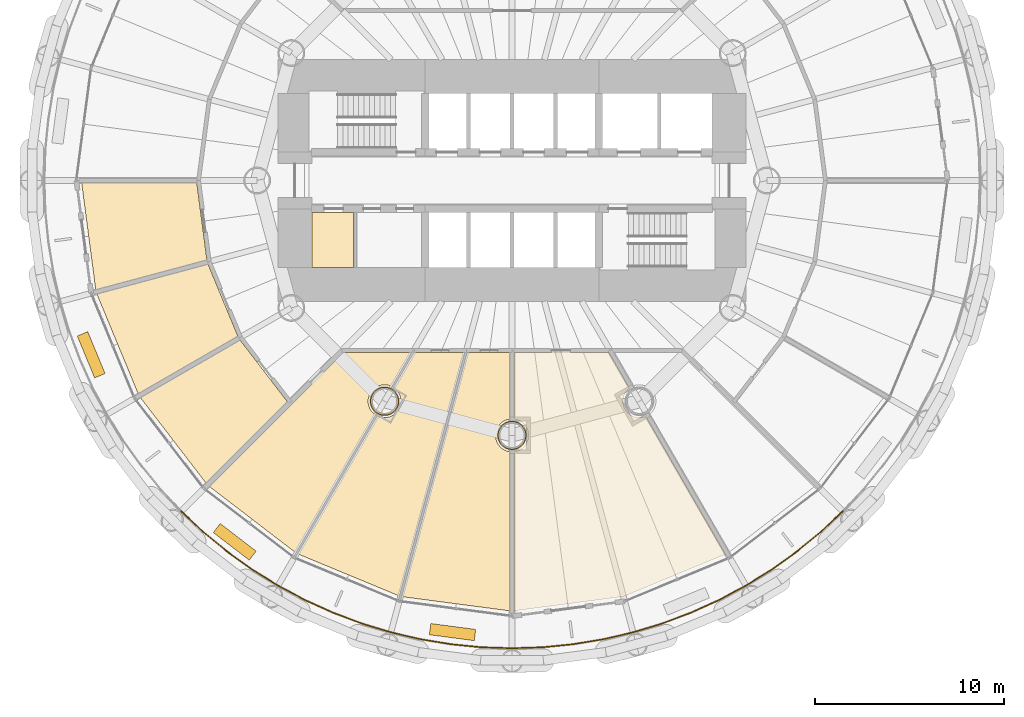
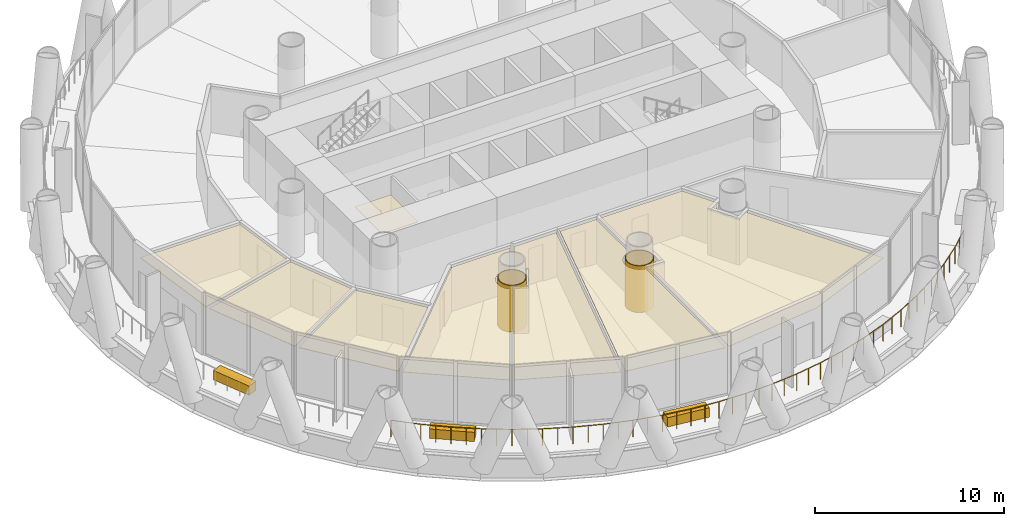
# One storey, part 13 of 16: 13 coverings, 1 railing.
"""IFC4 building model written with IfcOpenShell, lengths in metres."""

import ifcopenshell
import ifcopenshell.guid

model = None  # the IFC model being written
_history = None  # IfcOwnerHistory: only IFC2X3 demands one
_inside = {}  # id of a spatial element -> (the spatial element, [elements in it])
_under = {}  # id of a project, library or spatial element -> (it, [spatial elements below it])
_declared = {}  # id of a project -> (the project, [libraries it declares])
_typed = {}  # id of a type object -> (the type object, [elements of that type])
_made_of = {}  # id of a material, layer set ... -> (it, [elements and type objects made of it])


def new_model(schema):
    """Start an empty IFC model of exactly this schema.

    Asked for "IFC4X3", IfcOpenShell would pick the latest addendum, in which some entities
    have other attributes; the version numbers below select the first issue.
    IFC2X3 requires an IfcOwnerHistory on every rooted entity: one is made here for all.
    """
    global model, _history
    if schema == "IFC4X3":
        model = ifcopenshell.file(schema_version=(4, 3, 0, 0))
    else:
        model = ifcopenshell.file(schema=schema)
    _inside.clear()
    _under.clear()
    _declared.clear()
    _typed.clear()
    _made_of.clear()
    _history = None
    if model.schema == "IFC2X3":
        org = make("IfcOrganization", Name="unknown")
        user = make(
            "IfcPersonAndOrganization",
            ThePerson=make("IfcPerson", FamilyName="unknown"),
            TheOrganization=org,
        )
        app = make(
            "IfcApplication",
            ApplicationDeveloper=org,
            Version="unknown",
            ApplicationFullName="unknown",
            ApplicationIdentifier="unknown",
        )
        _history = make(
            "IfcOwnerHistory",
            OwningUser=user,
            OwningApplication=app,
            ChangeAction="ADDED",
            CreationDate=0,
        )
    return model


def make(cls, **values):
    """One entity of the class cls with the attributes given. An attribute that is None is left unset."""
    return model.create_entity(
        cls, **{name: value for name, value in values.items() if value is not None}
    )


def rooted(cls, **values):
    """An entity with a GlobalId (a new one), such as an element, a storey or a relation."""
    return make(cls, GlobalId=ifcopenshell.guid.new(), OwnerHistory=_history, **values)


def si_unit(unit_type, name, prefix=None):
    """IfcSIUnit, for example si_unit("LENGTHUNIT", "METRE", prefix="MILLI")."""
    return make("IfcSIUnit", UnitType=unit_type, Prefix=prefix, Name=name)


def assignment(units):
    """IfcUnitAssignment: the units of a project."""
    return None if units is None else make("IfcUnitAssignment", Units=units)


def point(xyz):
    """IfcCartesianPoint."""
    return None if xyz is None else make("IfcCartesianPoint", Coordinates=xyz)


def direction(xyz):
    """IfcDirection."""
    return None if xyz is None else make("IfcDirection", DirectionRatios=xyz)


def frame(location, z_axis=None, x_axis=None):
    """IfcAxis2Placement3D, a coordinate frame: its origin and axes. An axis left out is left unset."""
    return make(
        "IfcAxis2Placement3D",
        Location=point(location),
        Axis=direction(z_axis),
        RefDirection=direction(x_axis),
    )


def frame_2d(location, x_axis=None):
    """IfcAxis2Placement2D, a coordinate frame in the plane: its origin and x axis."""
    return make(
        "IfcAxis2Placement2D", Location=point(location), RefDirection=direction(x_axis)
    )


def origin():
    """The frame at (0, 0, 0) with its axes left unset."""
    return frame((0.0, 0.0, 0.0))


def origin_2d():
    """The frame at (0, 0) in the plane with its x axis left unset."""
    return frame_2d((0.0, 0.0))


def place(relative_to, where):
    """IfcLocalPlacement: puts the frame where relative to a parent placement (None: the world)."""
    return make(
        "IfcLocalPlacement", PlacementRelTo=relative_to, RelativePlacement=where
    )


def context(
    kind, dimensions, precision=None, world=None, true_north=None, identifier=None
):
    """IfcGeometricRepresentationContext, for example the 3D "Model" context."""
    return make(
        "IfcGeometricRepresentationContext",
        ContextIdentifier=identifier,
        ContextType=kind,
        CoordinateSpaceDimension=dimensions,
        Precision=precision,
        WorldCoordinateSystem=world,
        TrueNorth=true_north,
    )


def subcontext(parent, identifier, kind, view, scale=None):
    """IfcGeometricRepresentationSubContext, for example "Body" below "Model"."""
    return make(
        "IfcGeometricRepresentationSubContext",
        ContextIdentifier=identifier,
        ContextType=kind,
        ParentContext=parent,
        TargetScale=scale,
        TargetView=view,
    )


def project(units=None, contexts=None):
    """IfcProject with its units and contexts."""
    return rooted(
        "IfcProject",
        Name="project",
        RepresentationContexts=contexts,
        UnitsInContext=assignment(units),
    )


def spatial(cls, under=None, at=None, **own):
    """A site, building, storey or space (cls), placed at a placement, below another one or the project."""
    s = rooted(cls, ObjectPlacement=at, **own)
    if under is not None:
        _under.setdefault(under.id(), (under, []))[1].append(s)
    return s


def polyline(points):
    """IfcPolyline through the points."""
    return make("IfcPolyline", Points=[point(p) for p in points])


def profile(cls, at=None, kind="AREA", **sizes):
    """A parametric profile (cls). Its sizes go by their IFC names, for example OverallWidth=200.0."""
    return make(cls, ProfileType=kind, Position=at, **sizes)


def rectangle(**sizes):
    """IfcRectangleProfileDef."""
    return profile("IfcRectangleProfileDef", **sizes)


def circle(**sizes):
    """IfcCircleProfileDef."""
    return profile("IfcCircleProfileDef", **sizes)


def outline(outer, holes=None, kind="AREA"):
    """IfcArbitraryClosedProfileDef: a profile drawn as a closed curve; with holes, ...WithVoids."""
    if holes is None:
        return make("IfcArbitraryClosedProfileDef", ProfileType=kind, OuterCurve=outer)
    return make(
        "IfcArbitraryProfileDefWithVoids",
        ProfileType=kind,
        OuterCurve=outer,
        InnerCurves=holes,
    )


def extrude(swept, where, along, depth):
    """IfcExtrudedAreaSolid: the profile swept, set in the frame where, extruded along a direction by depth."""
    return make(
        "IfcExtrudedAreaSolid",
        SweptArea=swept,
        Position=where,
        ExtrudedDirection=direction(along),
        Depth=depth,
    )


def shape(context_of_items, identifier, shape_type, items):
    """IfcShapeRepresentation: the items that make up one representation, for example the "Body"."""
    return make(
        "IfcShapeRepresentation",
        ContextOfItems=context_of_items,
        RepresentationIdentifier=identifier,
        RepresentationType=shape_type,
        Items=items,
    )


def material(Name=None, Category=None):
    """IfcMaterial."""
    return make("IfcMaterial", Name=Name, Category=Category)


def layer(
    of_material, thickness, ventilated=None, Name=None, Category=None, Priority=None
):
    """IfcMaterialLayer: one layer of a wall or slab, of a material (None: an air gap)."""
    return make(
        "IfcMaterialLayer",
        Material=of_material,
        LayerThickness=thickness,
        IsVentilated=ventilated,
        Name=Name,
        Category=Category,
        Priority=Priority,
    )


def layer_set(layers, Name=None):
    """IfcMaterialLayerSet."""
    return make("IfcMaterialLayerSet", MaterialLayers=layers, LayerSetName=Name)


def made_of(thing, what):
    """Note that an element or type object is made of a material, layer set ...; save() writes the relation."""
    if what is not None:
        _made_of.setdefault(what.id(), (what, []))[1].append(thing)
    return thing


def type_object(cls, material=None, **own):
    """A type object (cls), such as IfcWallType, which elements share."""
    return made_of(rooted(cls, **own), material)


def element(
    cls,
    number,
    at=None,
    inside=None,
    cuts=None,
    type_object=None,
    material=None,
    context=None,
    identifier="Body",
    shape_type=None,
    held_by="IfcProductDefinitionShape",
    body=None,
    shapes=None,
    **own,
):
    """One element of the class cls, such as IfcWall. Its Tag is "e" and its number.

    at: its placement. inside: the storey or other place that contains it. cuts: it is an
    opening in that element (IfcRelVoidsElement). A single representation is given by context,
    identifier, shape_type and body (its items); several are given by shapes. held_by: the class
    of the entity that holds the representations. save() writes the other relations.
    """
    e = rooted(cls, Tag="e%d" % number, ObjectPlacement=at, **own)
    if body is not None:
        shapes = [shape(context, identifier, shape_type, body)]
    if shapes is not None:
        e.Representation = make(held_by, Representations=shapes)
    if inside is not None:
        _inside.setdefault(inside.id(), (inside, []))[1].append(e)
    if cuts is not None:
        rooted(
            "IfcRelVoidsElement", RelatingBuildingElement=cuts, RelatedOpeningElement=e
        )
    if type_object is not None:
        _typed.setdefault(type_object.id(), (type_object, []))[1].append(e)
    return made_of(e, material)


def aggregate(whole, parts):
    """IfcRelAggregates: a whole, such as a stair, and the parts it consists of."""
    return rooted("IfcRelAggregates", RelatingObject=whole, RelatedObjects=parts)


def save(model, path):
    """Write the relations noted so far, then the file.

    IfcRelAggregates (storeys below a building ...), IfcRelContainedInSpatialStructure (elements
    in a storey), IfcRelDefinesByType, IfcRelAssociatesMaterial and IfcRelDeclares: one each for
    every whole, place, type object, material and project.
    """
    for whole, parts in _under.values():
        aggregate(whole, parts)
    for where, things in _inside.values():
        rooted(
            "IfcRelContainedInSpatialStructure",
            RelatedElements=things,
            RelatingStructure=where,
        )
    for kind, things in _typed.values():
        rooted("IfcRelDefinesByType", RelatedObjects=things, RelatingType=kind)
    for what, things in _made_of.values():
        rooted("IfcRelAssociatesMaterial", RelatedObjects=things, RelatingMaterial=what)
    for by, libraries in _declared.values():
        rooted("IfcRelDeclares", RelatingContext=by, RelatedDefinitions=libraries)
    model.write(path)


model = new_model("IFC4")

# Units and contexts
model_context = context("Model", 3, precision=1e-05, world=origin(), true_north=direction((0.0, 1.0)))
body_context = subcontext(model_context, "Body", "Model", "MODEL_VIEW")
ifc_project = project(units=[si_unit("LENGTHUNIT", "METRE"), si_unit("AREAUNIT", "SQUARE_METRE"), si_unit("VOLUMEUNIT", "CUBIC_METRE"), si_unit("PLANEANGLEUNIT", "RADIAN"), si_unit("MASSUNIT", "GRAM", prefix="KILO")], contexts=[model_context])

# Site, building, storey
site_placement = place(None, origin())
site = spatial("IfcSite", under=ifc_project, at=site_placement, CompositionType="ELEMENT")
building_placement = place(site_placement, origin())
building = spatial("IfcBuilding", under=site, at=building_placement, Name="Qaws Media Tower", CompositionType="ELEMENT")
storey_placement = place(building_placement, frame((0.0, 0.0, 89.0)))
storey = spatial("IfcBuildingStorey", under=building, at=storey_placement, Name="L19", CompositionType="ELEMENT", Elevation=89.0)

# Coverings
ifc_material_1 = material(Name="40 perforated acoustic panels with mineral wool backing, suspended", Category="mineral fibre")
ifc_layer_1 = layer(ifc_material_1, 0.0400390625)
ifc_layer_set_1 = layer_set([ifc_layer_1], Name="Acoustic panel ceiling 40")
covering_type_1 = type_object("IfcCoveringType", Name="Acoustic panel ceiling 40", PredefinedType="CEILING", material=ifc_layer_set_1)
covering_1_placement = place(storey_placement, frame((0.0, 0.0, 2.85009765625)))
element("IfcCovering", 1, at=covering_1_placement, inside=storey, type_object=covering_type_1, Name="CL3 ceiling L19-03 Translation booth", PredefinedType="CEILING", context=body_context, shape_type="SweptSolid", body=[
    extrude(outline(polyline([(37.20458984375, 49.887451171875), (43.30126953125, 49.887451171875), (43.84130859375, 45.78662109375), (37.9521484375, 44.208740234375), (37.20458984375, 49.887451171875)])), origin(), (0.0, 0.0, 1.0), 0.039794921875),
])
covering_2_placement = place(storey_placement, frame((0.0, 0.0, 2.85009765625)))
element("IfcCovering", 2, at=covering_2_placement, inside=storey, type_object=covering_type_1, Name="CL3 ceiling L19-04 Translation booth", PredefinedType="CEILING", context=body_context, shape_type="SweptSolid", body=[
    extrude(outline(polyline([(38.010498046875, 43.991455078125), (43.8994140625, 45.5693359375), (45.482421875, 41.748046875), (40.202392578125, 38.69970703125), (38.010498046875, 43.991455078125)])), origin(), (0.0, 0.0, 1.0), 0.039794921875),
])
covering_3_placement = place(storey_placement, frame((0.0, 0.0, 2.85009765625)))
element("IfcCovering", 3, at=covering_3_placement, inside=storey, type_object=covering_type_1, Name="CL3 ceiling L19-05 Translation booth", PredefinedType="CEILING", context=body_context, shape_type="SweptSolid", body=[
    extrude(outline(polyline([(40.314697265625, 38.5048828125), (45.5947265625, 41.55322265625), (48.11279296875, 38.271728515625), (43.8017578125, 33.960693359375), (40.314697265625, 38.5048828125)])), origin(), (0.0, 0.0, 1.0), 0.039794921875),
])

# Railing
ifc_material_2 = material(Name="Stainless steel and glass guard", Category="steel")
railing_type = type_object("IfcRailingType", Name="Balcony guard 1100", PredefinedType="GUARDRAIL", material=ifc_material_2)
railing_placement = place(storey_placement, frame((42.4814453125, 32.4814453125, 0.0)))
element("IfcRailing", 4, at=railing_placement, inside=storey, type_object=railing_type, Name="GR1 balcony guard L19-3", PredefinedType="GUARDRAIL", context=body_context, shape_type="SweptSolid", body=[
    extrude(circle(Radius=0.02392578125, at=origin_2d()), frame((0.0, 0.0, 1.076171875), z_axis=(0.729917483807, -0.683535271096, 0.0), x_axis=(0.683535271096, 0.729917483807, 0.0)), (0.0, 0.0, 1.0), 1.62109375),
    extrude(circle(Radius=0.02392578125, at=origin_2d()), frame((1.183349609375, -1.108154296875, 1.076171875), z_axis=(0.772976794786, -0.634434295039, 0.0), x_axis=(0.634434295039, 0.772976794786, 0.0)), (0.0, 0.0, 1.0), 1.621337890625),
    extrude(circle(Radius=0.02392578125, at=origin_2d()), frame((2.4365234375, -2.13671875, 1.076171875), z_axis=(0.81285752848, -0.582462563942, 0.0), x_axis=(0.582462563942, 0.81285752848, 0.0)), (0.0, 0.0, 1.0), 1.621337890625),
    extrude(circle(Radius=0.02392578125, at=origin_2d()), frame((3.75439453125, -3.0810546875, 1.076171875), z_axis=(0.849172165578, -0.528116117163, 0.0), x_axis=(0.528116117163, 0.849172165578, 0.0)), (0.0, 0.0, 1.0), 1.621337890625),
    extrude(circle(Radius=0.02392578125, at=origin_2d()), frame((5.131103515625, -3.937255859375, 1.076171875), z_axis=(0.881927350788, -0.471385349721, 0.0), x_axis=(0.471385349721, 0.881927350788, 0.0)), (0.0, 0.0, 1.0), 1.62109375),
    extrude(circle(Radius=0.02392578125, at=origin_2d()), frame((6.560791015625, -4.701416015625, 1.076171875), z_axis=(0.910850592512, -0.412736233109, 0.0), x_axis=(0.412736233109, 0.910850592512, 0.0)), (0.0, 0.0, 1.0), 1.621337890625),
    extrude(circle(Radius=0.02392578125, at=origin_2d()), frame((8.03759765625, -5.37060546875, 1.076171875), z_axis=(0.93591388781, -0.352228895187, 0.0), x_axis=(0.352228895187, 0.93591388781, 0.0)), (0.0, 0.0, 1.0), 1.621337890625),
    extrude(circle(Radius=0.02392578125, at=origin_2d()), frame((9.554931640625, -5.941650390625, 1.076171875), z_axis=(0.956917944121, -0.290358482258, 0.0), x_axis=(0.290358482258, 0.956917944121, 0.0)), (0.0, 0.0, 1.0), 1.62109375),
    extrude(circle(Radius=0.02392578125, at=origin_2d()), frame((11.106201171875, -6.412353515625, 1.076171875), z_axis=(0.973881177198, -0.227058258382, 0.0), x_axis=(0.227058258382, 0.973881177198, 0.0)), (0.0, 0.0, 1.0), 1.621337890625),
    extrude(circle(Radius=0.02392578125, at=origin_2d()), frame((12.685302734375, -6.780517578125, 1.076171875), z_axis=(0.986657234444, -0.162811245678, 0.0), x_axis=(0.162811245678, 0.986657234444, 0.0)), (0.0, 0.0, 1.0), 1.62109375),
    extrude(circle(Radius=0.02392578125, at=origin_2d()), frame((14.28466796875, -7.04443359375, 1.076171875), z_axis=(0.995183693802, -0.09802762667, 0.0), x_axis=(0.09802762667, 0.995183693802, 0.0)), (0.0, 0.0, 1.0), 1.621337890625),
    extrude(circle(Radius=0.02392578125, at=origin_2d()), frame((15.898193359375, -7.203369140625, 1.076171875), z_axis=(0.999465930455, -0.032678033284, 0.0), x_axis=(0.032678033284, 0.999465930455, 0.0)), (0.0, 0.0, 1.0), 1.621337890625),
    extrude(circle(Radius=0.02392578125, at=origin_2d()), frame((17.5185546875, -7.25634765625, 1.076171875), z_axis=(0.999465930455, 0.032678033284, 0.0), x_axis=(-0.032678033284, 0.999465930455, 0.0)), (0.0, 0.0, 1.0), 1.621337890625),
    extrude(circle(Radius=0.02392578125, at=origin_2d()), frame((19.138916015625, -7.203369140625, 1.076171875), z_axis=(0.995183693802, 0.09802762667, 0.0), x_axis=(-0.09802762667, 0.995183693802, 0.0)), (0.0, 0.0, 1.0), 1.621337890625),
    extrude(circle(Radius=0.02392578125, at=origin_2d()), frame((20.75244140625, -7.04443359375, 1.076171875), z_axis=(0.986657234444, 0.162811245678, 0.0), x_axis=(-0.162811245678, 0.986657234444, 0.0)), (0.0, 0.0, 1.0), 1.62109375),
    extrude(circle(Radius=0.02392578125, at=origin_2d()), frame((22.351806640625, -6.780517578125, 1.076171875), z_axis=(0.973881177198, 0.227058258382, 0.0), x_axis=(-0.227058258382, 0.973881177198, 0.0)), (0.0, 0.0, 1.0), 1.621337890625),
    extrude(circle(Radius=0.02392578125, at=origin_2d()), frame((23.930908203125, -6.412353515625, 1.076171875), z_axis=(0.956917944121, 0.290358482258, 0.0), x_axis=(-0.290358482258, 0.956917944121, 0.0)), (0.0, 0.0, 1.0), 1.62109375),
    extrude(circle(Radius=0.02392578125, at=origin_2d()), frame((25.482177734375, -5.941650390625, 1.076171875), z_axis=(0.93591388781, 0.352228895187, 0.0), x_axis=(-0.352228895187, 0.93591388781, 0.0)), (0.0, 0.0, 1.0), 1.621337890625),
    extrude(circle(Radius=0.02392578125, at=origin_2d()), frame((26.99951171875, -5.37060546875, 1.076171875), z_axis=(0.910850592512, 0.412736233109, 0.0), x_axis=(-0.412736233109, 0.910850592512, 0.0)), (0.0, 0.0, 1.0), 1.621337890625),
    extrude(circle(Radius=0.02392578125, at=origin_2d()), frame((28.476318359375, -4.701416015625, 1.076171875), z_axis=(0.881927350788, 0.471385349721, 0.0), x_axis=(-0.471385349721, 0.881927350788, 0.0)), (0.0, 0.0, 1.0), 1.62109375),
    extrude(circle(Radius=0.02392578125, at=origin_2d()), frame((29.906005859375, -3.937255859375, 1.076171875), z_axis=(0.849172165578, 0.528116117163, 0.0), x_axis=(-0.528116117163, 0.849172165578, 0.0)), (0.0, 0.0, 1.0), 1.621337890625),
    extrude(circle(Radius=0.02392578125, at=origin_2d()), frame((31.28271484375, -3.0810546875, 1.076171875), z_axis=(0.81285752848, 0.582462563942, 0.0), x_axis=(-0.582462563942, 0.81285752848, 0.0)), (0.0, 0.0, 1.0), 1.621337890625),
    extrude(circle(Radius=0.02392578125, at=origin_2d()), frame((32.6005859375, -2.13671875, 1.076171875), z_axis=(0.772976794786, 0.634434295039, 0.0), x_axis=(-0.634434295039, 0.772976794786, 0.0)), (0.0, 0.0, 1.0), 1.621337890625),
    extrude(circle(Radius=0.02392578125, at=origin_2d()), frame((33.853759765625, -1.108154296875, 1.076171875), z_axis=(0.729917483807, 0.683535271096, 0.0), x_axis=(-0.683535271096, 0.729917483807, 0.0)), (0.0, 0.0, 1.0), 1.62109375),
    extrude(circle(Radius=0.02099609375, at=origin_2d()), origin(), (0.0, 0.0, 1.0), 1.052001953125),
    extrude(circle(Radius=0.02099609375, at=origin_2d()), frame((0.591796875, -0.55419921875, 0.0)), (0.0, 0.0, 1.0), 1.052001953125),
    extrude(circle(Radius=0.02099609375, at=origin_2d()), frame((1.183349609375, -1.108154296875, 0.0)), (0.0, 0.0, 1.0), 1.052001953125),
    extrude(circle(Radius=0.02099609375, at=origin_2d()), frame((1.81005859375, -1.62255859375, 0.0)), (0.0, 0.0, 1.0), 1.052001953125),
    extrude(circle(Radius=0.02099609375, at=origin_2d()), frame((2.4365234375, -2.13671875, 0.0)), (0.0, 0.0, 1.0), 1.052001953125),
    extrude(circle(Radius=0.02099609375, at=origin_2d()), frame((3.095458984375, -2.60888671875, 0.0)), (0.0, 0.0, 1.0), 1.052001953125),
    extrude(circle(Radius=0.02099609375, at=origin_2d()), frame((3.75439453125, -3.0810546875, 0.0)), (0.0, 0.0, 1.0), 1.052001953125),
    extrude(circle(Radius=0.02099609375, at=origin_2d()), frame((4.44287109375, -3.50927734375, 0.0)), (0.0, 0.0, 1.0), 1.052001953125),
    extrude(circle(Radius=0.02099609375, at=origin_2d()), frame((5.131103515625, -3.937255859375, 0.0)), (0.0, 0.0, 1.0), 1.052001953125),
    extrude(circle(Radius=0.02099609375, at=origin_2d()), frame((5.845947265625, -4.3193359375, 0.0)), (0.0, 0.0, 1.0), 1.052001953125),
    extrude(circle(Radius=0.02099609375, at=origin_2d()), frame((6.560791015625, -4.701416015625, 0.0)), (0.0, 0.0, 1.0), 1.052001953125),
    extrude(circle(Radius=0.02099609375, at=origin_2d()), frame((7.29931640625, -5.0361328125, 0.0)), (0.0, 0.0, 1.0), 1.052001953125),
    extrude(circle(Radius=0.02099609375, at=origin_2d()), frame((8.03759765625, -5.37060546875, 0.0)), (0.0, 0.0, 1.0), 1.052001953125),
    extrude(circle(Radius=0.02099609375, at=origin_2d()), frame((8.79638671875, -5.65625, 0.0)), (0.0, 0.0, 1.0), 1.052001953125),
    extrude(circle(Radius=0.02099609375, at=origin_2d()), frame((9.554931640625, -5.941650390625, 0.0)), (0.0, 0.0, 1.0), 1.052001953125),
    extrude(circle(Radius=0.02099609375, at=origin_2d()), frame((10.33056640625, -6.177001953125, 0.0)), (0.0, 0.0, 1.0), 1.052001953125),
    extrude(circle(Radius=0.02099609375, at=origin_2d()), frame((11.106201171875, -6.412353515625, 0.0)), (0.0, 0.0, 1.0), 1.052001953125),
    extrude(circle(Radius=0.02099609375, at=origin_2d()), frame((11.895751953125, -6.596435546875, 0.0)), (0.0, 0.0, 1.0), 1.052001953125),
    extrude(circle(Radius=0.02099609375, at=origin_2d()), frame((12.685302734375, -6.780517578125, 0.0)), (0.0, 0.0, 1.0), 1.052001953125),
    extrude(circle(Radius=0.02099609375, at=origin_2d()), frame((13.48486328125, -6.91259765625, 0.0)), (0.0, 0.0, 1.0), 1.052001953125),
    extrude(circle(Radius=0.02099609375, at=origin_2d()), frame((14.28466796875, -7.04443359375, 0.0)), (0.0, 0.0, 1.0), 1.052001953125),
    extrude(circle(Radius=0.02099609375, at=origin_2d()), frame((15.09130859375, -7.1240234375, 0.0)), (0.0, 0.0, 1.0), 1.052001953125),
    extrude(circle(Radius=0.02099609375, at=origin_2d()), frame((15.898193359375, -7.203369140625, 0.0)), (0.0, 0.0, 1.0), 1.052001953125),
    extrude(circle(Radius=0.02099609375, at=origin_2d()), frame((16.70849609375, -7.22998046875, 0.0)), (0.0, 0.0, 1.0), 1.052001953125),
    extrude(circle(Radius=0.02099609375, at=origin_2d()), frame((17.5185546875, -7.25634765625, 0.0)), (0.0, 0.0, 1.0), 1.052001953125),
    extrude(circle(Radius=0.02099609375, at=origin_2d()), frame((18.32861328125, -7.22998046875, 0.0)), (0.0, 0.0, 1.0), 1.052001953125),
    extrude(circle(Radius=0.02099609375, at=origin_2d()), frame((19.138916015625, -7.203369140625, 0.0)), (0.0, 0.0, 1.0), 1.052001953125),
    extrude(circle(Radius=0.02099609375, at=origin_2d()), frame((19.94580078125, -7.1240234375, 0.0)), (0.0, 0.0, 1.0), 1.052001953125),
    extrude(circle(Radius=0.02099609375, at=origin_2d()), frame((20.75244140625, -7.04443359375, 0.0)), (0.0, 0.0, 1.0), 1.052001953125),
    extrude(circle(Radius=0.02099609375, at=origin_2d()), frame((21.55224609375, -6.91259765625, 0.0)), (0.0, 0.0, 1.0), 1.052001953125),
    extrude(circle(Radius=0.02099609375, at=origin_2d()), frame((22.351806640625, -6.780517578125, 0.0)), (0.0, 0.0, 1.0), 1.052001953125),
    extrude(circle(Radius=0.02099609375, at=origin_2d()), frame((23.141357421875, -6.596435546875, 0.0)), (0.0, 0.0, 1.0), 1.052001953125),
    extrude(circle(Radius=0.02099609375, at=origin_2d()), frame((23.930908203125, -6.412353515625, 0.0)), (0.0, 0.0, 1.0), 1.052001953125),
    extrude(circle(Radius=0.02099609375, at=origin_2d()), frame((24.70654296875, -6.177001953125, 0.0)), (0.0, 0.0, 1.0), 1.052001953125),
    extrude(circle(Radius=0.02099609375, at=origin_2d()), frame((25.482177734375, -5.941650390625, 0.0)), (0.0, 0.0, 1.0), 1.052001953125),
    extrude(circle(Radius=0.02099609375, at=origin_2d()), frame((26.24072265625, -5.65625, 0.0)), (0.0, 0.0, 1.0), 1.052001953125),
    extrude(circle(Radius=0.02099609375, at=origin_2d()), frame((26.99951171875, -5.37060546875, 0.0)), (0.0, 0.0, 1.0), 1.052001953125),
    extrude(circle(Radius=0.02099609375, at=origin_2d()), frame((27.73779296875, -5.0361328125, 0.0)), (0.0, 0.0, 1.0), 1.052001953125),
    extrude(circle(Radius=0.02099609375, at=origin_2d()), frame((28.476318359375, -4.701416015625, 0.0)), (0.0, 0.0, 1.0), 1.052001953125),
    extrude(circle(Radius=0.02099609375, at=origin_2d()), frame((29.191162109375, -4.3193359375, 0.0)), (0.0, 0.0, 1.0), 1.052001953125),
    extrude(circle(Radius=0.02099609375, at=origin_2d()), frame((29.906005859375, -3.937255859375, 0.0)), (0.0, 0.0, 1.0), 1.052001953125),
    extrude(circle(Radius=0.02099609375, at=origin_2d()), frame((30.59423828125, -3.50927734375, 0.0)), (0.0, 0.0, 1.0), 1.052001953125),
    extrude(circle(Radius=0.02099609375, at=origin_2d()), frame((31.28271484375, -3.0810546875, 0.0)), (0.0, 0.0, 1.0), 1.052001953125),
    extrude(circle(Radius=0.02099609375, at=origin_2d()), frame((31.941650390625, -2.60888671875, 0.0)), (0.0, 0.0, 1.0), 1.052001953125),
    extrude(circle(Radius=0.02099609375, at=origin_2d()), frame((32.6005859375, -2.13671875, 0.0)), (0.0, 0.0, 1.0), 1.052001953125),
    extrude(circle(Radius=0.02099609375, at=origin_2d()), frame((33.22705078125, -1.62255859375, 0.0)), (0.0, 0.0, 1.0), 1.052001953125),
    extrude(circle(Radius=0.02099609375, at=origin_2d()), frame((33.853759765625, -1.108154296875, 0.0)), (0.0, 0.0, 1.0), 1.052001953125),
    extrude(circle(Radius=0.02099609375, at=origin_2d()), frame((34.4453125, -0.55419921875, 0.0)), (0.0, 0.0, 1.0), 1.052001953125),
    extrude(circle(Radius=0.02099609375, at=origin_2d()), frame((35.037109375, 0.0, 0.0)), (0.0, 0.0, 1.0), 1.052001953125),
])

# Coverings
ifc_material_3 = material(Name="Two layers 15 fire-rated gypsum board on steel framing", Category="steel")
ifc_layer_2 = layer(ifc_material_3, 0.050048828125)
ifc_layer_set_2 = layer_set([ifc_layer_2], Name="Column fire casing")
covering_type_2 = type_object("IfcCoveringType", Name="Column fire casing", PredefinedType="CLADDING", material=ifc_layer_set_2)
covering_4_placement = place(storey_placement, origin())
element("IfcCovering", 5, at=covering_4_placement, inside=storey, type_object=covering_type_2, Name="CC1 column casing L19", PredefinedType="CLADDING", context=body_context, shape_type="SweptSolid", body=[
    extrude(outline(polyline([(54.01611328125, 38.30859375), (54.009521484375, 38.208740234375), (53.989990234375, 38.1103515625), (53.957763671875, 38.015380859375), (53.913330078125, 37.92578125), (53.857666015625, 37.84228515625), (53.79150390625, 37.76708984375), (53.71630859375, 37.700927734375), (53.633056640625, 37.645263671875), (53.543212890625, 37.60107421875), (53.4482421875, 37.56884765625), (53.35009765625, 37.54931640625), (53.25, 37.542724609375), (53.14990234375, 37.54931640625), (53.0517578125, 37.56884765625), (52.956787109375, 37.60107421875), (52.866943359375, 37.645263671875), (52.78369140625, 37.700927734375), (52.70849609375, 37.76708984375), (52.642333984375, 37.84228515625), (52.586669921875, 37.92578125), (52.542236328125, 38.015380859375), (52.510009765625, 38.1103515625), (52.490478515625, 38.208740234375), (52.48388671875, 38.30859375), (52.490478515625, 38.40869140625), (52.510009765625, 38.5068359375), (52.542236328125, 38.601806640625), (52.586669921875, 38.691650390625), (52.642333984375, 38.77490234375), (52.70849609375, 38.850341796875), (52.78369140625, 38.91650390625), (52.866943359375, 38.971923828125), (52.956787109375, 39.016357421875), (53.0517578125, 39.048583984375), (53.14990234375, 39.068115234375), (53.25, 39.07470703125), (53.35009765625, 39.068115234375), (53.4482421875, 39.048583984375), (53.543212890625, 39.016357421875), (53.633056640625, 38.971923828125), (53.71630859375, 38.91650390625), (53.79150390625, 38.850341796875), (53.857666015625, 38.77490234375), (53.913330078125, 38.691650390625), (53.957763671875, 38.601806640625), (53.989990234375, 38.5068359375), (54.009521484375, 38.40869140625), (54.01611328125, 38.30859375)]), holes=[polyline([(53.964111328125, 38.30859375), (53.9580078125, 38.215576171875), (53.939697265625, 38.123779296875), (53.90966796875, 38.035400390625), (53.868408203125, 37.95166015625), (53.81640625, 37.8740234375), (53.7548828125, 37.8037109375), (53.684814453125, 37.7421875), (53.60693359375, 37.690185546875), (53.523193359375, 37.64892578125), (53.434814453125, 37.618896484375), (53.34326171875, 37.600830078125), (53.25, 37.5947265625), (53.15673828125, 37.600830078125), (53.065185546875, 37.618896484375), (52.976806640625, 37.64892578125), (52.89306640625, 37.690185546875), (52.815185546875, 37.7421875), (52.7451171875, 37.8037109375), (52.68359375, 37.8740234375), (52.631591796875, 37.95166015625), (52.59033203125, 38.035400390625), (52.560302734375, 38.123779296875), (52.5419921875, 38.215576171875), (52.535888671875, 38.30859375), (52.5419921875, 38.40185546875), (52.560302734375, 38.493408203125), (52.59033203125, 38.581787109375), (52.631591796875, 38.665771484375), (52.68359375, 38.743408203125), (52.7451171875, 38.8134765625), (52.815185546875, 38.875), (52.89306640625, 38.927001953125), (52.976806640625, 38.96826171875), (53.065185546875, 38.998291015625), (53.15673828125, 39.0166015625), (53.25, 39.022705078125), (53.34326171875, 39.0166015625), (53.434814453125, 38.998291015625), (53.523193359375, 38.96826171875), (53.60693359375, 38.927001953125), (53.684814453125, 38.875), (53.7548828125, 38.8134765625), (53.81640625, 38.743408203125), (53.868408203125, 38.665771484375), (53.90966796875, 38.581787109375), (53.939697265625, 38.493408203125), (53.9580078125, 38.40185546875), (53.964111328125, 38.30859375)])]), origin(), (0.0, 0.0, 1.0), 3.02001953125),
])
covering_5_placement = place(storey_placement, origin())
element("IfcCovering", 6, at=covering_5_placement, inside=storey, type_object=covering_type_2, Name="CC1 column casing L19", PredefinedType="CLADDING", context=body_context, shape_type="SweptSolid", body=[
    extrude(outline(polyline([(60.76611328125, 36.5), (60.759521484375, 36.39990234375), (60.739990234375, 36.3017578125), (60.707763671875, 36.206787109375), (60.663330078125, 36.116943359375), (60.607666015625, 36.03369140625), (60.54150390625, 35.95849609375), (60.46630859375, 35.892333984375), (60.383056640625, 35.836669921875), (60.293212890625, 35.792236328125), (60.1982421875, 35.760009765625), (60.10009765625, 35.740478515625), (60.0, 35.73388671875), (59.89990234375, 35.740478515625), (59.8017578125, 35.760009765625), (59.706787109375, 35.792236328125), (59.616943359375, 35.836669921875), (59.53369140625, 35.892333984375), (59.45849609375, 35.95849609375), (59.392333984375, 36.03369140625), (59.336669921875, 36.116943359375), (59.292236328125, 36.206787109375), (59.260009765625, 36.3017578125), (59.240478515625, 36.39990234375), (59.23388671875, 36.5), (59.240478515625, 36.60009765625), (59.260009765625, 36.6982421875), (59.292236328125, 36.793212890625), (59.336669921875, 36.883056640625), (59.392333984375, 36.96630859375), (59.45849609375, 37.04150390625), (59.53369140625, 37.107666015625), (59.616943359375, 37.163330078125), (59.706787109375, 37.207763671875), (59.8017578125, 37.239990234375), (59.89990234375, 37.259521484375), (60.0, 37.26611328125), (60.10009765625, 37.259521484375), (60.1982421875, 37.239990234375), (60.293212890625, 37.207763671875), (60.383056640625, 37.163330078125), (60.46630859375, 37.107666015625), (60.54150390625, 37.04150390625), (60.607666015625, 36.96630859375), (60.663330078125, 36.883056640625), (60.707763671875, 36.793212890625), (60.739990234375, 36.6982421875), (60.759521484375, 36.60009765625), (60.76611328125, 36.5)]), holes=[polyline([(60.714111328125, 36.5), (60.7080078125, 36.40673828125), (60.689697265625, 36.315185546875), (60.65966796875, 36.226806640625), (60.618408203125, 36.14306640625), (60.56640625, 36.065185546875), (60.5048828125, 35.9951171875), (60.434814453125, 35.93359375), (60.35693359375, 35.881591796875), (60.273193359375, 35.84033203125), (60.184814453125, 35.810302734375), (60.09326171875, 35.7919921875), (60.0, 35.785888671875), (59.90673828125, 35.7919921875), (59.815185546875, 35.810302734375), (59.726806640625, 35.84033203125), (59.64306640625, 35.881591796875), (59.565185546875, 35.93359375), (59.4951171875, 35.9951171875), (59.43359375, 36.065185546875), (59.381591796875, 36.14306640625), (59.34033203125, 36.226806640625), (59.310302734375, 36.315185546875), (59.2919921875, 36.40673828125), (59.285888671875, 36.5), (59.2919921875, 36.59326171875), (59.310302734375, 36.684814453125), (59.34033203125, 36.773193359375), (59.381591796875, 36.85693359375), (59.43359375, 36.934814453125), (59.4951171875, 37.0048828125), (59.565185546875, 37.06640625), (59.64306640625, 37.118408203125), (59.726806640625, 37.15966796875), (59.815185546875, 37.189697265625), (59.90673828125, 37.2080078125), (60.0, 37.214111328125), (60.09326171875, 37.2080078125), (60.184814453125, 37.189697265625), (60.273193359375, 37.15966796875), (60.35693359375, 37.118408203125), (60.434814453125, 37.06640625), (60.5048828125, 37.0048828125), (60.56640625, 36.934814453125), (60.618408203125, 36.85693359375), (60.65966796875, 36.773193359375), (60.689697265625, 36.684814453125), (60.7080078125, 36.59326171875), (60.714111328125, 36.5)])]), origin(), (0.0, 0.0, 1.0), 3.02001953125),
])
ifc_material_4 = material(Name="Precast concrete planter with trailing planting", Category="concrete")
ifc_layer_3 = layer(ifc_material_4, 0.60009765625)
ifc_layer_set_3 = layer_set([ifc_layer_3], Name="Planter 2400x600")
covering_type_3 = type_object("IfcCoveringType", Name="Planter 2400x600", PredefinedType="USERDEFINED", material=ifc_layer_set_3)
for number, where, z_axis, x_axis, name in (
    (7, (37.71142578125, 40.767822265625, 0.0), (0.0, 0.0, 1.0), (0.382683432365, -0.923879532511, 0.0), "PL1 balcony planter L19-07"),
    (8, (45.313720703125, 30.8603515625, 0.0), (0.0, 0.0, 1.0), (0.793353340291, -0.608761429009, 0.0), "PL1 balcony planter L19-08"),
    (9, (56.85107421875, 26.081298828125, 0.0), (0.0, 0.0, 1.0), (0.991444861374, -0.13052619222, 0.0), "PL1 balcony planter L19-09"),
):
    element("IfcCovering", number, at=place(storey_placement, frame(where, z_axis=z_axis, x_axis=x_axis)), inside=storey, type_object=covering_type_3, Name=name, ObjectType="PLANTER", PredefinedType="USERDEFINED", context=body_context, shape_type="SweptSolid", body=[
        extrude(rectangle(XDim=2.39990234375, YDim=0.60009765625, at=origin_2d()), origin(), (0.0, 0.0, 1.0), 0.60009765625),
    ])
ifc_material_5 = material(Name="Two layers 12.5 moisture-resistant plasterboard on suspended metal furring", Category="gypsum")
ifc_layer_4 = layer(ifc_material_5, 0.02490234375)
ifc_layer_set_4 = layer_set([ifc_layer_4], Name="Plasterboard ceiling 25")
covering_type_4 = type_object("IfcCoveringType", Name="Plasterboard ceiling 25", PredefinedType="CEILING", material=ifc_layer_set_4)
covering_6_placement = place(storey_placement, frame((0.0, 0.0, 2.85009765625)))
element("IfcCovering", 10, at=covering_6_placement, inside=storey, type_object=covering_type_4, Name="CL2 ceiling L19-06 Editor's office", PredefinedType="CEILING", context=body_context, shape_type="SweptSolid", body=[
    extrude(outline(polyline([(43.960693359375, 33.8017578125), (51.046630859375, 40.887451171875), (54.60888671875, 40.887451171875), (53.58447265625, 39.11279296875), (53.475341796875, 39.14990234375), (53.36376953125, 39.172119140625), (53.25, 39.1796875), (53.13623046875, 39.172119140625), (53.024658203125, 39.14990234375), (52.916748046875, 39.11328125), (52.814453125, 39.06298828125), (52.7197265625, 38.999755859375), (52.634033203125, 38.924560546875), (52.55908203125, 38.8388671875), (52.49560546875, 38.744140625), (52.4453125, 38.64208984375), (52.40869140625, 38.5341796875), (52.386474609375, 38.42236328125), (52.37890625, 38.30859375), (52.386474609375, 38.195068359375), (52.40869140625, 38.083251953125), (52.4453125, 37.975341796875), (52.49560546875, 37.873291015625), (52.55908203125, 37.7783203125), (52.634033203125, 37.69287109375), (52.720703125, 37.616943359375), (48.5048828125, 30.314697265625), (43.960693359375, 33.8017578125)])), origin(), (0.0, 0.0, 1.0), 0.02490234375),
])
covering_7_placement = place(storey_placement, frame((0.0, 0.0, 2.85009765625)))
element("IfcCovering", 11, at=covering_7_placement, inside=storey, type_object=covering_type_4, Name="CL2 ceiling L19-07 Editor's office", PredefinedType="CEILING", context=body_context, shape_type="SweptSolid", body=[
    extrude(outline(polyline([(48.69970703125, 30.202392578125), (52.91552734375, 37.50439453125), (53.024658203125, 37.46728515625), (53.13623046875, 37.445068359375), (53.25, 37.437744140625), (53.36376953125, 37.445068359375), (53.475341796875, 37.46728515625), (53.583251953125, 37.50390625), (53.685546875, 37.55419921875), (53.7802734375, 37.61767578125), (53.865966796875, 37.69287109375), (53.94091796875, 37.7783203125), (54.00439453125, 37.873291015625), (54.0546875, 37.975341796875), (54.09130859375, 38.083251953125), (54.113525390625, 38.195068359375), (54.12109375, 38.30859375), (54.113525390625, 38.42236328125), (54.09130859375, 38.5341796875), (54.0546875, 38.64208984375), (54.00439453125, 38.744140625), (53.94091796875, 38.8388671875), (53.865966796875, 38.924560546875), (53.779296875, 39.000244140625), (54.868896484375, 40.887451171875), (57.44189453125, 40.887451171875), (53.991455078125, 28.010498046875), (48.69970703125, 30.202392578125)])), origin(), (0.0, 0.0, 1.0), 0.02490234375),
])
covering_8_placement = place(storey_placement, frame((0.0, 0.0, 2.85009765625)))
element("IfcCovering", 12, at=covering_8_placement, inside=storey, type_object=covering_type_4, Name="CL2 ceiling L19-08 Editor's office", PredefinedType="CEILING", context=body_context, shape_type="SweptSolid", body=[
    extrude(outline(polyline([(54.208740234375, 27.9521484375), (57.6748046875, 40.887451171875), (59.887451171875, 40.887451171875), (59.887451171875, 37.363525390625), (59.774658203125, 37.34130859375), (59.666748046875, 37.3046875), (59.564453125, 37.25439453125), (59.4697265625, 37.19091796875), (59.384033203125, 37.115966796875), (59.30908203125, 37.0302734375), (59.24560546875, 36.935546875), (59.1953125, 36.833251953125), (59.15869140625, 36.725341796875), (59.136474609375, 36.61376953125), (59.12890625, 36.5), (59.136474609375, 36.38623046875), (59.15869140625, 36.274658203125), (59.1953125, 36.166748046875), (59.24560546875, 36.064453125), (59.30908203125, 35.9697265625), (59.384033203125, 35.884033203125), (59.4697265625, 35.80908203125), (59.564453125, 35.74560546875), (59.666748046875, 35.6953125), (59.774658203125, 35.65869140625), (59.887451171875, 35.636474609375), (59.887451171875, 27.20458984375), (54.208740234375, 27.9521484375)])), origin(), (0.0, 0.0, 1.0), 0.02490234375),
])
covering_9_placement = place(storey_placement, frame((0.0, 0.0, 2.85009765625)))
element("IfcCovering", 13, at=covering_9_placement, inside=storey, type_object=covering_type_4, Name="CL2 ceiling L19-09 Satellite booking office", PredefinedType="CEILING", context=body_context, shape_type="SweptSolid", body=[
    extrude(outline(polyline([(65.90380859375, 27.967041015625), (60.112548828125, 27.20458984375), (60.112548828125, 35.636474609375), (60.225341796875, 35.65869140625), (60.333251953125, 35.6953125), (60.435546875, 35.74560546875), (60.5302734375, 35.80908203125), (60.615966796875, 35.884033203125), (60.69091796875, 35.9697265625), (60.75439453125, 36.064453125), (60.8046875, 36.166748046875), (60.84130859375, 36.274658203125), (60.863525390625, 36.38623046875), (60.87109375, 36.5), (60.863525390625, 36.61376953125), (60.84130859375, 36.725341796875), (60.8046875, 36.833251953125), (60.75439453125, 36.935546875), (60.69091796875, 37.0302734375), (60.615966796875, 37.115966796875), (60.5302734375, 37.19091796875), (60.435546875, 37.25439453125), (60.333251953125, 37.3046875), (60.225341796875, 37.34130859375), (60.112548828125, 37.363525390625), (60.112548828125, 40.887451171875), (65.131103515625, 40.887451171875), (66.220703125, 39.000244140625), (66.134033203125, 38.924560546875), (66.05908203125, 38.8388671875), (65.99560546875, 38.744140625), (65.9453125, 38.64208984375), (65.90869140625, 38.5341796875), (65.886474609375, 38.42236328125), (65.87890625, 38.30859375), (65.886474609375, 38.195068359375), (65.90869140625, 38.083251953125), (65.9453125, 37.975341796875), (65.99560546875, 37.873291015625), (66.05908203125, 37.7783203125), (66.134033203125, 37.69287109375), (66.2197265625, 37.61767578125), (66.314453125, 37.55419921875), (66.416748046875, 37.50390625), (66.524658203125, 37.46728515625), (66.63623046875, 37.445068359375), (66.75, 37.437744140625), (66.86376953125, 37.445068359375), (66.975341796875, 37.46728515625), (67.08447265625, 37.50439453125), (71.30029296875, 30.202392578125), (65.90380859375, 27.967041015625)])), origin(), (0.0, 0.0, 1.0), 0.02490234375),
])
covering_10_placement = place(storey_placement, frame((0.0, 0.0, 2.85009765625)))
element("IfcCovering", 14, at=covering_10_placement, inside=storey, type_object=covering_type_4, Name="CL2 ceiling L19-C04 Accessible WC", PredefinedType="CEILING", context=body_context, shape_type="SweptSolid", body=[
    extrude(outline(polyline([(49.39990234375, 45.39990234375), (49.39990234375, 48.300048828125), (51.60009765625, 48.300048828125), (51.60009765625, 45.39990234375), (49.39990234375, 45.39990234375)])), origin(), (0.0, 0.0, 1.0), 0.02490234375),
])

save(model, "model.ifc")
